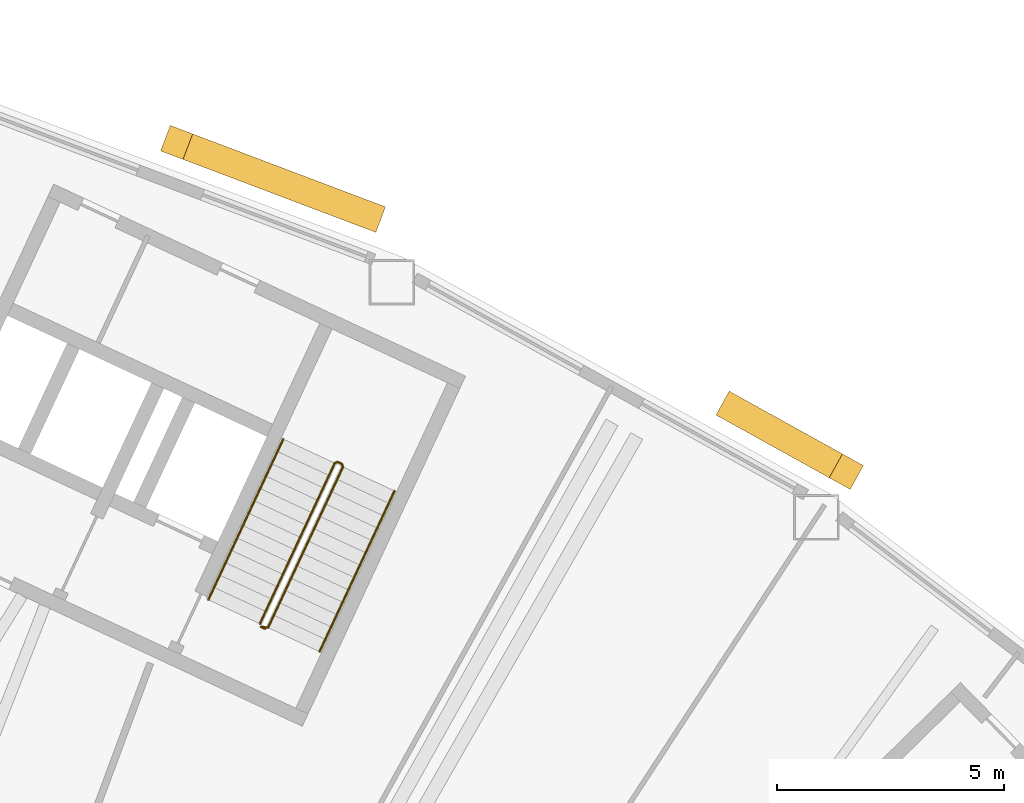
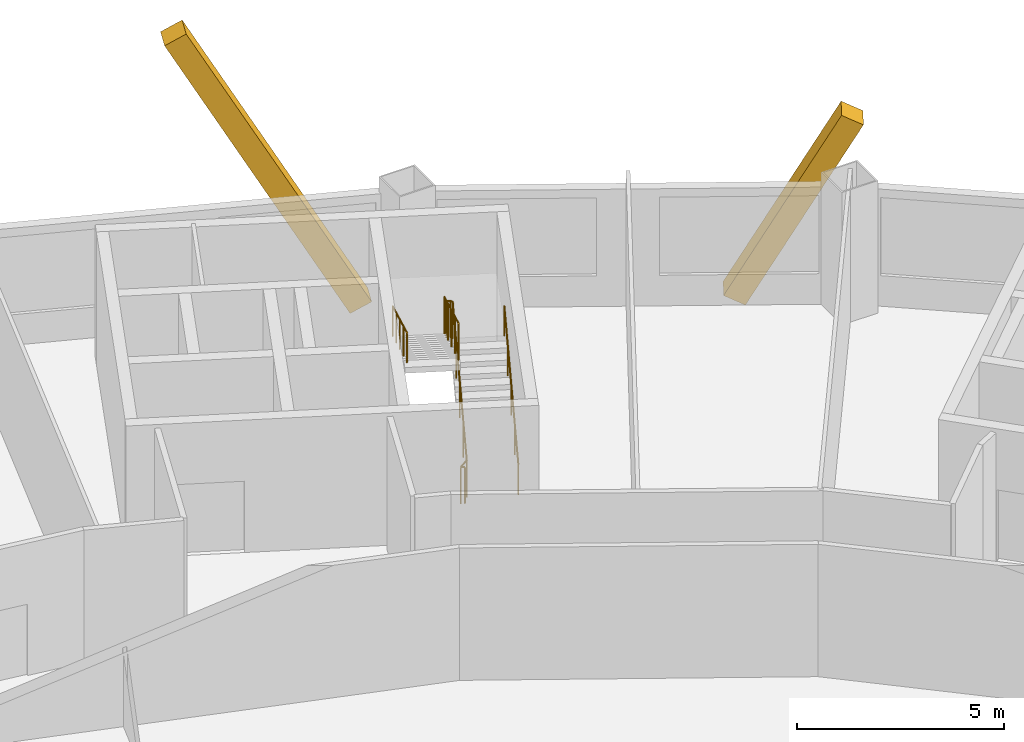
# One storey, part 11 of 11: 3 railings, 2 coverings.
"""IFC4 building model written with IfcOpenShell, lengths in metres."""

from ifc_helpers import new_model, si_unit, direction, frame, origin, origin_2d, place, context, subcontext, project, spatial, rectangle, circle, extrude, material, material_profile, profile_set, type_object, element, save


model = new_model("IFC4")

# Units and contexts
model_context = context("Model", 3, precision=1e-05, world=origin(), true_north=direction((0.0, 1.0)))
body_context = subcontext(model_context, "Body", "Model", "MODEL_VIEW")
ifc_project = project(units=[si_unit("LENGTHUNIT", "METRE"), si_unit("AREAUNIT", "SQUARE_METRE"), si_unit("VOLUMEUNIT", "CUBIC_METRE"), si_unit("PLANEANGLEUNIT", "RADIAN"), si_unit("MASSUNIT", "GRAM", prefix="KILO")], contexts=[model_context])

# Site, building, storey
site_placement = place(None, origin())
site = spatial("IfcSite", under=ifc_project, at=site_placement, CompositionType="ELEMENT")
building_placement = place(site_placement, origin())
building = spatial("IfcBuilding", under=site, at=building_placement, Name="Tuul Gate Civic Tower", CompositionType="ELEMENT")
storey_placement = place(building_placement, frame((0.0, 0.0, 138.199951171875)))
storey = spatial("IfcBuildingStorey", under=building, at=storey_placement, Name="Level 31", CompositionType="ELEMENT", Elevation=138.199951171875)

# Railings
ifc_material_1 = material(Name="Painted steel", Category="steel")
railing_type_1 = type_object("IfcRailingType", Name="Stair guard", PredefinedType="GUARDRAIL", material=ifc_material_1)
railing_1_placement = place(storey_placement, frame((33.645751953125, -5.238525390625, 0.0)))
element("IfcRailing", 1, at=railing_1_placement, inside=storey, type_object=railing_type_1, Name="Level 31 ST-4 stair guard 1", PredefinedType="GUARDRAIL", context=body_context, shape_type="SweptSolid", body=[
    extrude(circle(Radius=0.02392578125, at=origin_2d()), frame((0.0, 0.0, 1.076171875), z_axis=(-0.906307919131, 0.422617978463, 0.0), x_axis=(-0.422617978463, -0.906307919131, 0.0)), (0.0, 0.0, 1.0), 0.099853515625),
    extrude(circle(Radius=0.02392578125, at=origin_2d()), frame((-0.090576171875, 0.042236328125, 1.076171875), z_axis=(0.720179819621, -0.082882280952, 0.688818956559), x_axis=(0.114330889033, 0.993442724979, 0.0)), (0.0, 0.0, 1.0), 0.218017578125),
    extrude(circle(Radius=0.02392578125, at=origin_2d()), frame((0.06640625, 0.024169921875, 1.22607421875), z_axis=(0.377946903738, 0.810654114417, 0.447209173356), x_axis=(-0.906336612539, 0.422556439746, 0.0)), (0.0, 0.0, 1.0), 4.3603515625),
    extrude(circle(Radius=0.02392578125, at=origin_2d()), frame((1.71435546875, 3.558837890625, 3.17626953125), z_axis=(-0.342020437038, 0.939692513883, 0.0), x_axis=(-0.939692513883, -0.342020437038, 0.0)), (0.0, 0.0, 1.0), 0.070556640625),
    extrude(circle(Radius=0.02392578125, at=origin_2d()), frame((1.690185546875, 3.625244140625, 3.17626953125), z_axis=(-0.906307919131, 0.422617978463, 0.0), x_axis=(-0.422617978463, -0.906307919131, 0.0)), (0.0, 0.0, 1.0), 0.099853515625),
    extrude(circle(Radius=0.02392578125, at=origin_2d()), frame((1.599609375, 3.66748046875, 3.17626953125), z_axis=(-0.40070210376, -0.145843780413, 0.904526072458), x_axis=(0.342020437038, -0.939692513883, 0.0)), (0.0, 0.0, 1.0), 0.165771484375),
    extrude(circle(Radius=0.02392578125, at=origin_2d()), frame((1.533203125, 3.643310546875, 3.326171875), z_axis=(-0.377946903738, -0.810654114417, 0.447209173356), x_axis=(0.906336612539, -0.422556439746, 0.0)), (0.0, 0.0, 1.0), 4.3603515625),
    extrude(circle(Radius=0.02099609375, at=origin_2d()), origin(), (0.0, 0.0, 1.0), 1.052001953125),
    extrude(circle(Radius=0.02099609375, at=origin_2d()), frame((-0.090576171875, 0.042236328125, 0.0)), (0.0, 0.0, 1.0), 1.052001953125),
    extrude(circle(Radius=0.02099609375, at=origin_2d()), frame((0.06640625, 0.024169921875, 0.150146484375)), (0.0, 0.0, 1.0), 1.052001953125),
    extrude(circle(Radius=0.02099609375, at=origin_2d()), frame((0.478515625, 0.90771484375, 0.6376953125)), (0.0, 0.0, 1.0), 1.052001953125),
    extrude(circle(Radius=0.02099609375, at=origin_2d()), frame((0.890380859375, 1.79150390625, 1.125)), (0.0, 0.0, 1.0), 1.052001953125),
    extrude(circle(Radius=0.02099609375, at=origin_2d()), frame((1.30224609375, 2.67529296875, 1.612548828125)), (0.0, 0.0, 1.0), 1.052001953125),
    extrude(circle(Radius=0.02099609375, at=origin_2d()), frame((1.71435546875, 3.558837890625, 2.10009765625)), (0.0, 0.0, 1.0), 1.052001953125),
    extrude(circle(Radius=0.02099609375, at=origin_2d()), frame((1.690185546875, 3.625244140625, 2.10009765625)), (0.0, 0.0, 1.0), 1.052001953125),
    extrude(circle(Radius=0.02099609375, at=origin_2d()), frame((1.599609375, 3.66748046875, 2.10009765625)), (0.0, 0.0, 1.0), 1.052001953125),
    extrude(circle(Radius=0.02099609375, at=origin_2d()), frame((1.533203125, 3.643310546875, 2.25)), (0.0, 0.0, 1.0), 1.052001953125),
    extrude(circle(Radius=0.02099609375, at=origin_2d()), frame((1.12109375, 2.759765625, 2.737548828125)), (0.0, 0.0, 1.0), 1.052001953125),
    extrude(circle(Radius=0.02099609375, at=origin_2d()), frame((0.709228515625, 1.8759765625, 3.22509765625)), (0.0, 0.0, 1.0), 1.052001953125),
    extrude(circle(Radius=0.02099609375, at=origin_2d()), frame((0.29736328125, 0.9921875, 3.71240234375)), (0.0, 0.0, 1.0), 1.052001953125),
    extrude(circle(Radius=0.02099609375, at=origin_2d()), frame((-0.11474609375, 0.108642578125, 4.199951171875)), (0.0, 0.0, 1.0), 1.052001953125),
])
ifc_material_2 = material(Name="Painted steel", Category="steel")
railing_type_2 = type_object("IfcRailingType", Name="Stair handrail", PredefinedType="HANDRAIL", material=ifc_material_2)
railing_2_placement = place(storey_placement, frame((34.844970703125, -5.74267578125, 0.150146484375)))
element("IfcRailing", 2, at=railing_2_placement, inside=storey, type_object=railing_type_2, Name="Level 31 ST-4 stair handrail 1", PredefinedType="HANDRAIL", context=body_context, shape_type="SweptSolid", body=[
    extrude(circle(Radius=0.02392578125, at=origin_2d()), frame((0.0, 0.0, 0.8759765625), z_axis=(0.377994896215, 0.810636958585, 0.447199709091), x_axis=(-0.906312636903, 0.422607861012, 0.0)), (0.0, 0.0, 1.0), 4.3603515625),
    extrude(circle(Radius=0.02099609375, at=origin_2d()), origin(), (0.0, 0.0, 1.0), 0.851806640625),
    extrude(circle(Radius=0.02099609375, at=origin_2d()), frame((0.412109375, 0.8837890625, 0.487548828125)), (0.0, 0.0, 1.0), 0.851806640625),
    extrude(circle(Radius=0.02099609375, at=origin_2d()), frame((0.82421875, 1.767333984375, 0.97509765625)), (0.0, 0.0, 1.0), 0.851806640625),
    extrude(circle(Radius=0.02099609375, at=origin_2d()), frame((1.236083984375, 2.65087890625, 1.46240234375)), (0.0, 0.0, 1.0), 0.851806640625),
    extrude(circle(Radius=0.02099609375, at=origin_2d()), frame((1.648193359375, 3.53466796875, 1.949951171875)), (0.0, 0.0, 1.0), 0.851806640625),
])
railing_3_placement = place(storey_placement, frame((34.046142578125, -1.06689453125, 2.25)))
element("IfcRailing", 3, at=railing_3_placement, inside=storey, type_object=railing_type_2, Name="Level 31 ST-4 stair handrail 2", PredefinedType="HANDRAIL", context=body_context, shape_type="SweptSolid", body=[
    extrude(circle(Radius=0.02392578125, at=origin_2d()), frame((0.0, 0.0, 0.8759765625), z_axis=(-0.377994896215, -0.810636958585, 0.447199709091), x_axis=(0.906312636903, -0.422607861012, 0.0)), (0.0, 0.0, 1.0), 4.3603515625),
    extrude(circle(Radius=0.02099609375, at=origin_2d()), origin(), (0.0, 0.0, 1.0), 0.851806640625),
    extrude(circle(Radius=0.02099609375, at=origin_2d()), frame((-0.412109375, -0.8837890625, 0.487548828125)), (0.0, 0.0, 1.0), 0.851806640625),
    extrude(circle(Radius=0.02099609375, at=origin_2d()), frame((-0.82421875, -1.767333984375, 0.97509765625)), (0.0, 0.0, 1.0), 0.851806640625),
    extrude(circle(Radius=0.02099609375, at=origin_2d()), frame((-1.236083984375, -2.65087890625, 1.46240234375)), (0.0, 0.0, 1.0), 0.851806640625),
    extrude(circle(Radius=0.02099609375, at=origin_2d()), frame((-1.648193359375, -3.53466796875, 1.949951171875)), (0.0, 0.0, 1.0), 0.851806640625),
])

# Coverings
ifc_material_3 = material(Name="Terracotta baguette", Category="masonry")
ifc_material_profile = material_profile(ifc_material_3, rectangle(XDim=0.60009765625, YDim=0.60009765625, at=origin_2d()), Name="Terracotta baguette screen frame")
ifc_profile_set = profile_set([ifc_material_profile], Name="Terracotta baguette")
covering_type = type_object("IfcCoveringType", Name="Terracotta baguette screen frame", PredefinedType="CLADDING", material=ifc_profile_set)
covering_1_placement = place(storey_placement, frame((46.43408203125, -1.783447265625, 4.923828125), z_axis=(-0.415603488122, 0.2303884474, -0.879883460445), x_axis=(-0.484834849005, -0.874605722135, 0.0)))
element("IfcCovering", 4, at=covering_1_placement, inside=storey, type_object=covering_type, Name="Baguette 38", PredefinedType="CLADDING", context=body_context, shape_type="SweptSolid", body=[
    extrude(rectangle(XDim=0.60009765625, YDim=0.60009765625, at=origin_2d()), origin(), (0.0, 0.0, 1.0), 5.99365234375),
])
covering_2_placement = place(storey_placement, frame((31.7001953125, 5.460205078125, 8.050048828125), z_axis=(0.444447097075, -0.168096597565, -0.879892216006), x_axis=(0.353758489664, 0.935336800832, 0.0)))
element("IfcCovering", 5, at=covering_2_placement, inside=storey, type_object=covering_type, Name="Baguette 53", PredefinedType="CLADDING", context=body_context, shape_type="SweptSolid", body=[
    extrude(rectangle(XDim=0.60009765625, YDim=0.60009765625, at=origin_2d()), origin(), (0.0, 0.0, 1.0), 9.546630859375),
])

save(model, "model.ifc")
